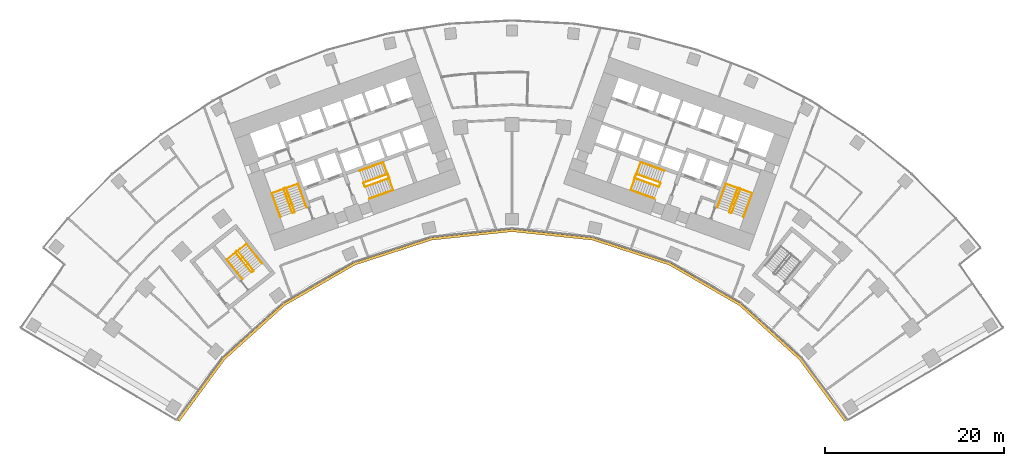
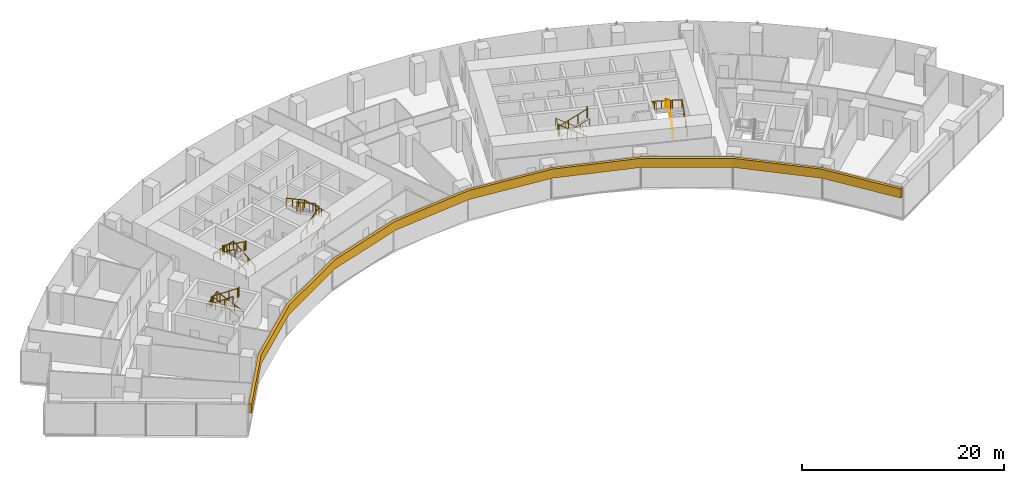
# One storey, part 20 of 21: 15 railings, 1 covering.
"""IFC4 building model written with IfcOpenShell, lengths in metres."""

import ifcopenshell
import ifcopenshell.guid

model = None  # the IFC model being written
_history = None  # IfcOwnerHistory: only IFC2X3 demands one
_inside = {}  # id of a spatial element -> (the spatial element, [elements in it])
_under = {}  # id of a project, library or spatial element -> (it, [spatial elements below it])
_declared = {}  # id of a project -> (the project, [libraries it declares])
_typed = {}  # id of a type object -> (the type object, [elements of that type])
_made_of = {}  # id of a material, layer set ... -> (it, [elements and type objects made of it])


def new_model(schema):
    """Start an empty IFC model of exactly this schema.

    Asked for "IFC4X3", IfcOpenShell would pick the latest addendum, in which some entities
    have other attributes; the version numbers below select the first issue.
    IFC2X3 requires an IfcOwnerHistory on every rooted entity: one is made here for all.
    """
    global model, _history
    if schema == "IFC4X3":
        model = ifcopenshell.file(schema_version=(4, 3, 0, 0))
    else:
        model = ifcopenshell.file(schema=schema)
    _inside.clear()
    _under.clear()
    _declared.clear()
    _typed.clear()
    _made_of.clear()
    _history = None
    if model.schema == "IFC2X3":
        org = make("IfcOrganization", Name="unknown")
        user = make(
            "IfcPersonAndOrganization",
            ThePerson=make("IfcPerson", FamilyName="unknown"),
            TheOrganization=org,
        )
        app = make(
            "IfcApplication",
            ApplicationDeveloper=org,
            Version="unknown",
            ApplicationFullName="unknown",
            ApplicationIdentifier="unknown",
        )
        _history = make(
            "IfcOwnerHistory",
            OwningUser=user,
            OwningApplication=app,
            ChangeAction="ADDED",
            CreationDate=0,
        )
    return model


def make(cls, **values):
    """One entity of the class cls with the attributes given. An attribute that is None is left unset."""
    return model.create_entity(
        cls, **{name: value for name, value in values.items() if value is not None}
    )


def rooted(cls, **values):
    """An entity with a GlobalId (a new one), such as an element, a storey or a relation."""
    return make(cls, GlobalId=ifcopenshell.guid.new(), OwnerHistory=_history, **values)


def si_unit(unit_type, name, prefix=None):
    """IfcSIUnit, for example si_unit("LENGTHUNIT", "METRE", prefix="MILLI")."""
    return make("IfcSIUnit", UnitType=unit_type, Prefix=prefix, Name=name)


def assignment(units):
    """IfcUnitAssignment: the units of a project."""
    return None if units is None else make("IfcUnitAssignment", Units=units)


def point(xyz):
    """IfcCartesianPoint."""
    return None if xyz is None else make("IfcCartesianPoint", Coordinates=xyz)


def direction(xyz):
    """IfcDirection."""
    return None if xyz is None else make("IfcDirection", DirectionRatios=xyz)


def frame(location, z_axis=None, x_axis=None):
    """IfcAxis2Placement3D, a coordinate frame: its origin and axes. An axis left out is left unset."""
    return make(
        "IfcAxis2Placement3D",
        Location=point(location),
        Axis=direction(z_axis),
        RefDirection=direction(x_axis),
    )


def frame_2d(location, x_axis=None):
    """IfcAxis2Placement2D, a coordinate frame in the plane: its origin and x axis."""
    return make(
        "IfcAxis2Placement2D", Location=point(location), RefDirection=direction(x_axis)
    )


def origin():
    """The frame at (0, 0, 0) with its axes left unset."""
    return frame((0.0, 0.0, 0.0))


def origin_2d():
    """The frame at (0, 0) in the plane with its x axis left unset."""
    return frame_2d((0.0, 0.0))


def place(relative_to, where):
    """IfcLocalPlacement: puts the frame where relative to a parent placement (None: the world)."""
    return make(
        "IfcLocalPlacement", PlacementRelTo=relative_to, RelativePlacement=where
    )


def context(
    kind, dimensions, precision=None, world=None, true_north=None, identifier=None
):
    """IfcGeometricRepresentationContext, for example the 3D "Model" context."""
    return make(
        "IfcGeometricRepresentationContext",
        ContextIdentifier=identifier,
        ContextType=kind,
        CoordinateSpaceDimension=dimensions,
        Precision=precision,
        WorldCoordinateSystem=world,
        TrueNorth=true_north,
    )


def subcontext(parent, identifier, kind, view, scale=None):
    """IfcGeometricRepresentationSubContext, for example "Body" below "Model"."""
    return make(
        "IfcGeometricRepresentationSubContext",
        ContextIdentifier=identifier,
        ContextType=kind,
        ParentContext=parent,
        TargetScale=scale,
        TargetView=view,
    )


def project(units=None, contexts=None):
    """IfcProject with its units and contexts."""
    return rooted(
        "IfcProject",
        Name="project",
        RepresentationContexts=contexts,
        UnitsInContext=assignment(units),
    )


def spatial(cls, under=None, at=None, **own):
    """A site, building, storey or space (cls), placed at a placement, below another one or the project."""
    s = rooted(cls, ObjectPlacement=at, **own)
    if under is not None:
        _under.setdefault(under.id(), (under, []))[1].append(s)
    return s


def polyline(points):
    """IfcPolyline through the points."""
    return make("IfcPolyline", Points=[point(p) for p in points])


def profile(cls, at=None, kind="AREA", **sizes):
    """A parametric profile (cls). Its sizes go by their IFC names, for example OverallWidth=200.0."""
    return make(cls, ProfileType=kind, Position=at, **sizes)


def circle(**sizes):
    """IfcCircleProfileDef."""
    return profile("IfcCircleProfileDef", **sizes)


def outline(outer, holes=None, kind="AREA"):
    """IfcArbitraryClosedProfileDef: a profile drawn as a closed curve; with holes, ...WithVoids."""
    if holes is None:
        return make("IfcArbitraryClosedProfileDef", ProfileType=kind, OuterCurve=outer)
    return make(
        "IfcArbitraryProfileDefWithVoids",
        ProfileType=kind,
        OuterCurve=outer,
        InnerCurves=holes,
    )


def extrude(swept, where, along, depth):
    """IfcExtrudedAreaSolid: the profile swept, set in the frame where, extruded along a direction by depth."""
    return make(
        "IfcExtrudedAreaSolid",
        SweptArea=swept,
        Position=where,
        ExtrudedDirection=direction(along),
        Depth=depth,
    )


def shape(context_of_items, identifier, shape_type, items):
    """IfcShapeRepresentation: the items that make up one representation, for example the "Body"."""
    return make(
        "IfcShapeRepresentation",
        ContextOfItems=context_of_items,
        RepresentationIdentifier=identifier,
        RepresentationType=shape_type,
        Items=items,
    )


def material(Name=None, Category=None):
    """IfcMaterial."""
    return make("IfcMaterial", Name=Name, Category=Category)


def layer(
    of_material, thickness, ventilated=None, Name=None, Category=None, Priority=None
):
    """IfcMaterialLayer: one layer of a wall or slab, of a material (None: an air gap)."""
    return make(
        "IfcMaterialLayer",
        Material=of_material,
        LayerThickness=thickness,
        IsVentilated=ventilated,
        Name=Name,
        Category=Category,
        Priority=Priority,
    )


def layer_set(layers, Name=None):
    """IfcMaterialLayerSet."""
    return make("IfcMaterialLayerSet", MaterialLayers=layers, LayerSetName=Name)


def made_of(thing, what):
    """Note that an element or type object is made of a material, layer set ...; save() writes the relation."""
    if what is not None:
        _made_of.setdefault(what.id(), (what, []))[1].append(thing)
    return thing


def type_object(cls, material=None, **own):
    """A type object (cls), such as IfcWallType, which elements share."""
    return made_of(rooted(cls, **own), material)


def element(
    cls,
    number,
    at=None,
    inside=None,
    cuts=None,
    type_object=None,
    material=None,
    context=None,
    identifier="Body",
    shape_type=None,
    held_by="IfcProductDefinitionShape",
    body=None,
    shapes=None,
    **own,
):
    """One element of the class cls, such as IfcWall. Its Tag is "e" and its number.

    at: its placement. inside: the storey or other place that contains it. cuts: it is an
    opening in that element (IfcRelVoidsElement). A single representation is given by context,
    identifier, shape_type and body (its items); several are given by shapes. held_by: the class
    of the entity that holds the representations. save() writes the other relations.
    """
    e = rooted(cls, Tag="e%d" % number, ObjectPlacement=at, **own)
    if body is not None:
        shapes = [shape(context, identifier, shape_type, body)]
    if shapes is not None:
        e.Representation = make(held_by, Representations=shapes)
    if inside is not None:
        _inside.setdefault(inside.id(), (inside, []))[1].append(e)
    if cuts is not None:
        rooted(
            "IfcRelVoidsElement", RelatingBuildingElement=cuts, RelatedOpeningElement=e
        )
    if type_object is not None:
        _typed.setdefault(type_object.id(), (type_object, []))[1].append(e)
    return made_of(e, material)


def aggregate(whole, parts):
    """IfcRelAggregates: a whole, such as a stair, and the parts it consists of."""
    return rooted("IfcRelAggregates", RelatingObject=whole, RelatedObjects=parts)


def save(model, path):
    """Write the relations noted so far, then the file.

    IfcRelAggregates (storeys below a building ...), IfcRelContainedInSpatialStructure (elements
    in a storey), IfcRelDefinesByType, IfcRelAssociatesMaterial and IfcRelDeclares: one each for
    every whole, place, type object, material and project.
    """
    for whole, parts in _under.values():
        aggregate(whole, parts)
    for where, things in _inside.values():
        rooted(
            "IfcRelContainedInSpatialStructure",
            RelatedElements=things,
            RelatingStructure=where,
        )
    for kind, things in _typed.values():
        rooted("IfcRelDefinesByType", RelatedObjects=things, RelatingType=kind)
    for what, things in _made_of.values():
        rooted("IfcRelAssociatesMaterial", RelatedObjects=things, RelatingMaterial=what)
    for by, libraries in _declared.values():
        rooted("IfcRelDeclares", RelatingContext=by, RelatedDefinitions=libraries)
    model.write(path)


model = new_model("IFC4")

# Units and contexts
model_context = context("Model", 3, precision=1e-05, world=origin(), true_north=direction((0.0, 1.0)))
body_context = subcontext(model_context, "Body", "Model", "MODEL_VIEW")
ifc_project = project(units=[si_unit("LENGTHUNIT", "METRE"), si_unit("AREAUNIT", "SQUARE_METRE"), si_unit("VOLUMEUNIT", "CUBIC_METRE"), si_unit("PLANEANGLEUNIT", "RADIAN"), si_unit("MASSUNIT", "GRAM", prefix="KILO")], contexts=[model_context])

# Site, building, storey
site_placement = place(None, origin())
site = spatial("IfcSite", under=ifc_project, at=site_placement, CompositionType="ELEMENT")
building_placement = place(site_placement, origin())
building = spatial("IfcBuilding", under=site, at=building_placement, Name="Stone Belt Terrace Tower", CompositionType="ELEMENT")
storey_placement = place(building_placement, frame((0.0, 0.0, 37.60009765625)))
storey = spatial("IfcBuildingStorey", under=building, at=storey_placement, Name="L08", CompositionType="ELEMENT", Elevation=37.60009765625)

# Railings
ifc_material_1 = material(Name="Structural steel C345", Category="steel")
railing_type_1 = type_object("IfcRailingType", Name="Stair guard 1100", PredefinedType="GUARDRAIL", material=ifc_material_1)
railing_1_placement = place(storey_placement, frame((-24.2119140625, 45.276123046875, 0.172607421875)))
element("IfcRailing", 1, at=railing_1_placement, inside=storey, type_object=railing_type_1, Name="L08 ST1A stair guard 1", PredefinedType="GUARDRAIL", context=body_context, shape_type="SweptSolid", body=[
    extrude(circle(Radius=0.02392578125, at=origin_2d()), frame((0.0, 0.0, 1.076171875), z_axis=(-0.288228637646, 0.800791768495, 0.525030280985), x_axis=(-0.940908529223, -0.338660803216, 0.0)), (0.0, 0.0, 1.0), 3.289794921875),
    extrude(circle(Radius=0.02392578125, at=origin_2d()), frame((-0.9482421875, 2.634521484375, 2.80322265625), z_axis=(-0.905209821074, 0.424964916, 0.0), x_axis=(-0.424964916, -0.905209821074, 0.0)), (0.0, 0.0, 1.0), 0.070556640625),
    extrude(circle(Radius=0.02392578125, at=origin_2d()), frame((-1.01220703125, 2.66455078125, 2.80322265625), z_axis=(-0.941105063269, -0.338114270461, 0.0), x_axis=(0.338114270461, -0.941105063269, 0.0)), (0.0, 0.0, 1.0), 0.199951171875),
    extrude(circle(Radius=0.02099609375, at=origin_2d()), origin(), (0.0, 0.0, 1.0), 1.052001953125),
    extrude(circle(Radius=0.02099609375, at=origin_2d()), frame((-0.316162109375, 0.878173828125, 0.57568359375)), (0.0, 0.0, 1.0), 1.052001953125),
    extrude(circle(Radius=0.02099609375, at=origin_2d()), frame((-0.632080078125, 1.75634765625, 1.151611328125)), (0.0, 0.0, 1.0), 1.052001953125),
    extrude(circle(Radius=0.02099609375, at=origin_2d()), frame((-0.9482421875, 2.634521484375, 1.727294921875)), (0.0, 0.0, 1.0), 1.052001953125),
    extrude(circle(Radius=0.02099609375, at=origin_2d()), frame((-1.01220703125, 2.66455078125, 1.727294921875)), (0.0, 0.0, 1.0), 1.052001953125),
    extrude(circle(Radius=0.02099609375, at=origin_2d()), frame((-1.200439453125, 2.596923828125, 1.727294921875)), (0.0, 0.0, 1.0), 1.052001953125),
])
railing_2_placement = place(storey_placement, frame((-25.4423828125, 47.80908203125, 2.072509765625)))
element("IfcRailing", 2, at=railing_2_placement, inside=storey, type_object=railing_type_1, Name="L08 ST1A stair guard 2", PredefinedType="GUARDRAIL", context=body_context, shape_type="SweptSolid", body=[
    extrude(circle(Radius=0.02392578125, at=origin_2d()), frame((0.0, 0.0, 1.076171875), z_axis=(0.288228637646, -0.800791768495, 0.525030280985), x_axis=(0.940908529223, 0.338660803216, 0.0)), (0.0, 0.0, 1.0), 3.289794921875),
    extrude(circle(Radius=0.02392578125, at=origin_2d()), frame((0.9482421875, -2.634521484375, 2.80322265625), z_axis=(0.903878284585, -0.427789722475, 0.0), x_axis=(0.427789722475, 0.903878284585, 0.0)), (0.0, 0.0, 1.0), 0.07080078125),
    extrude(circle(Radius=0.02392578125, at=origin_2d()), frame((1.01220703125, -2.664794921875, 2.80322265625), z_axis=(0.940575576748, 0.339584429008, 0.0), x_axis=(-0.339584429008, 0.940575576748, 0.0)), (0.0, 0.0, 1.0), 0.199951171875),
    extrude(circle(Radius=0.02099609375, at=origin_2d()), origin(), (0.0, 0.0, 1.0), 1.052001953125),
    extrude(circle(Radius=0.02099609375, at=origin_2d()), frame((0.316162109375, -0.878173828125, 0.57568359375)), (0.0, 0.0, 1.0), 1.052001953125),
    extrude(circle(Radius=0.02099609375, at=origin_2d()), frame((0.632080078125, -1.75634765625, 1.151611328125)), (0.0, 0.0, 1.0), 1.052001953125),
    extrude(circle(Radius=0.02099609375, at=origin_2d()), frame((0.9482421875, -2.634521484375, 1.727294921875)), (0.0, 0.0, 1.0), 1.052001953125),
    extrude(circle(Radius=0.02099609375, at=origin_2d()), frame((1.01220703125, -2.664794921875, 1.727294921875)), (0.0, 0.0, 1.0), 1.052001953125),
    extrude(circle(Radius=0.02099609375, at=origin_2d()), frame((1.2001953125, -2.596923828125, 1.727294921875)), (0.0, 0.0, 1.0), 1.052001953125),
])
railing_3_placement = place(storey_placement, frame((-16.33837890625, 48.056640625, 0.172607421875)))
element("IfcRailing", 3, at=railing_3_placement, inside=storey, type_object=railing_type_1, Name="L08 ST2A stair guard 1", PredefinedType="GUARDRAIL", context=body_context, shape_type="SweptSolid", body=[
    extrude(circle(Radius=0.02392578125, at=origin_2d()), frame((0.0, 0.0, 1.076171875), z_axis=(0.800808895155, 0.288160591223, 0.52504150989), x_axis=(-0.338583606334, 0.940936311087, 0.0)), (0.0, 0.0, 1.0), 3.289794921875),
    extrude(circle(Radius=0.02392578125, at=origin_2d()), frame((2.634521484375, 0.947998046875, 2.80322265625), z_axis=(0.427789722475, 0.903878284585, 0.0), x_axis=(-0.903878284585, 0.427789722475, 0.0)), (0.0, 0.0, 1.0), 0.07080078125),
    extrude(circle(Radius=0.02392578125, at=origin_2d()), frame((2.664794921875, 1.011962890625, 2.80322265625), z_axis=(-0.338654645739, 0.940910745459, 0.0), x_axis=(-0.940910745459, -0.338654645739, 0.0)), (0.0, 0.0, 1.0), 0.400146484375),
    extrude(circle(Radius=0.02099609375, at=origin_2d()), origin(), (0.0, 0.0, 1.0), 1.052001953125),
    extrude(circle(Radius=0.02099609375, at=origin_2d()), frame((0.878173828125, 0.31591796875, 0.57568359375)), (0.0, 0.0, 1.0), 1.052001953125),
    extrude(circle(Radius=0.02099609375, at=origin_2d()), frame((1.75634765625, 0.632080078125, 1.151611328125)), (0.0, 0.0, 1.0), 1.052001953125),
    extrude(circle(Radius=0.02099609375, at=origin_2d()), frame((2.634521484375, 0.947998046875, 1.727294921875)), (0.0, 0.0, 1.0), 1.052001953125),
    extrude(circle(Radius=0.02099609375, at=origin_2d()), frame((2.664794921875, 1.011962890625, 1.727294921875)), (0.0, 0.0, 1.0), 1.052001953125),
    extrude(circle(Radius=0.02099609375, at=origin_2d()), frame((2.529296875, 1.388427734375, 1.727294921875)), (0.0, 0.0, 1.0), 1.052001953125),
])
railing_4_placement = place(storey_placement, frame((-13.873046875, 49.47509765625, 2.072509765625)))
element("IfcRailing", 4, at=railing_4_placement, inside=storey, type_object=railing_type_1, Name="L08 ST2A stair guard 2", PredefinedType="GUARDRAIL", context=body_context, shape_type="SweptSolid", body=[
    extrude(circle(Radius=0.02392578125, at=origin_2d()), frame((0.0, 0.0, 1.076171875), z_axis=(-0.800808895155, -0.288160591223, 0.52504150989), x_axis=(0.338583606334, -0.940936311087, 0.0)), (0.0, 0.0, 1.0), 3.289794921875),
    extrude(circle(Radius=0.02392578125, at=origin_2d()), frame((-2.634521484375, -0.947998046875, 2.80322265625), z_axis=(-0.427789722475, -0.903878284585, 0.0), x_axis=(0.903878284585, -0.427789722475, 0.0)), (0.0, 0.0, 1.0), 0.07080078125),
    extrude(circle(Radius=0.02392578125, at=origin_2d()), frame((-2.664794921875, -1.011962890625, 2.80322265625), z_axis=(0.338654645739, -0.940910745459, 0.0), x_axis=(0.940910745459, 0.338654645739, 0.0)), (0.0, 0.0, 1.0), 0.400146484375),
    extrude(circle(Radius=0.02099609375, at=origin_2d()), origin(), (0.0, 0.0, 1.0), 1.052001953125),
    extrude(circle(Radius=0.02099609375, at=origin_2d()), frame((-0.878173828125, -0.31591796875, 0.57568359375)), (0.0, 0.0, 1.0), 1.052001953125),
    extrude(circle(Radius=0.02099609375, at=origin_2d()), frame((-1.75634765625, -0.632080078125, 1.151611328125)), (0.0, 0.0, 1.0), 1.052001953125),
    extrude(circle(Radius=0.02099609375, at=origin_2d()), frame((-2.634521484375, -0.947998046875, 1.727294921875)), (0.0, 0.0, 1.0), 1.052001953125),
    extrude(circle(Radius=0.02099609375, at=origin_2d()), frame((-2.664794921875, -1.011962890625, 1.727294921875)), (0.0, 0.0, 1.0), 1.052001953125),
    extrude(circle(Radius=0.02099609375, at=origin_2d()), frame((-2.529296875, -1.388427734375, 1.727294921875)), (0.0, 0.0, 1.0), 1.052001953125),
])
railing_5_placement = place(storey_placement, frame((24.494140625, 45.174560546875, 0.172607421875)))
element("IfcRailing", 5, at=railing_5_placement, inside=storey, type_object=railing_type_1, Name="L08 ST1B stair guard 1", PredefinedType="GUARDRAIL", context=body_context, shape_type="SweptSolid", body=[
    extrude(circle(Radius=0.02392578125, at=origin_2d()), frame((0.0, 0.0, 1.076171875), z_axis=(0.288228637646, 0.800791768495, 0.525030280985), x_axis=(-0.940908529223, 0.338660803216, 0.0)), (0.0, 0.0, 1.0), 3.289794921875),
    extrude(circle(Radius=0.02392578125, at=origin_2d()), frame((0.9482421875, 2.634521484375, 2.80322265625), z_axis=(-0.424964916, 0.905209821074, 0.0), x_axis=(-0.905209821074, -0.424964916, 0.0)), (0.0, 0.0, 1.0), 0.070556640625),
    extrude(circle(Radius=0.02392578125, at=origin_2d()), frame((0.918212890625, 2.698486328125, 2.80322265625), z_axis=(-0.941105063269, 0.338114270461, 0.0), x_axis=(-0.338114270461, -0.941105063269, 0.0)), (0.0, 0.0, 1.0), 0.199951171875),
    extrude(circle(Radius=0.02099609375, at=origin_2d()), origin(), (0.0, 0.0, 1.0), 1.052001953125),
    extrude(circle(Radius=0.02099609375, at=origin_2d()), frame((0.316162109375, 0.878173828125, 0.57568359375)), (0.0, 0.0, 1.0), 1.052001953125),
    extrude(circle(Radius=0.02099609375, at=origin_2d()), frame((0.632080078125, 1.75634765625, 1.151611328125)), (0.0, 0.0, 1.0), 1.052001953125),
    extrude(circle(Radius=0.02099609375, at=origin_2d()), frame((0.9482421875, 2.634521484375, 1.727294921875)), (0.0, 0.0, 1.0), 1.052001953125),
    extrude(circle(Radius=0.02099609375, at=origin_2d()), frame((0.918212890625, 2.698486328125, 1.727294921875)), (0.0, 0.0, 1.0), 1.052001953125),
    extrude(circle(Radius=0.02099609375, at=origin_2d()), frame((0.72998046875, 2.76611328125, 1.727294921875)), (0.0, 0.0, 1.0), 1.052001953125),
])
railing_6_placement = place(storey_placement, frame((25.16015625, 47.91064453125, 2.072509765625)))
element("IfcRailing", 6, at=railing_6_placement, inside=storey, type_object=railing_type_1, Name="L08 ST1B stair guard 2", PredefinedType="GUARDRAIL", context=body_context, shape_type="SweptSolid", body=[
    extrude(circle(Radius=0.02392578125, at=origin_2d()), frame((0.0, 0.0, 1.076171875), z_axis=(-0.288228637646, -0.800791768495, 0.525030280985), x_axis=(0.940908529223, -0.338660803216, 0.0)), (0.0, 0.0, 1.0), 3.289794921875),
    extrude(circle(Radius=0.02392578125, at=origin_2d()), frame((-0.9482421875, -2.634521484375, 2.80322265625), z_axis=(0.427789722475, -0.903878284585, 0.0), x_axis=(0.903878284585, 0.427789722475, 0.0)), (0.0, 0.0, 1.0), 0.07080078125),
    extrude(circle(Radius=0.02392578125, at=origin_2d()), frame((-0.91796875, -2.698486328125, 2.80322265625), z_axis=(0.940575576748, -0.339584429008, 0.0), x_axis=(0.339584429008, 0.940575576748, 0.0)), (0.0, 0.0, 1.0), 0.199951171875),
    extrude(circle(Radius=0.02099609375, at=origin_2d()), origin(), (0.0, 0.0, 1.0), 1.052001953125),
    extrude(circle(Radius=0.02099609375, at=origin_2d()), frame((-0.316162109375, -0.878173828125, 0.57568359375)), (0.0, 0.0, 1.0), 1.052001953125),
    extrude(circle(Radius=0.02099609375, at=origin_2d()), frame((-0.632080078125, -1.75634765625, 1.151611328125)), (0.0, 0.0, 1.0), 1.052001953125),
    extrude(circle(Radius=0.02099609375, at=origin_2d()), frame((-0.9482421875, -2.634521484375, 1.727294921875)), (0.0, 0.0, 1.0), 1.052001953125),
    extrude(circle(Radius=0.02099609375, at=origin_2d()), frame((-0.91796875, -2.698486328125, 1.727294921875)), (0.0, 0.0, 1.0), 1.052001953125),
    extrude(circle(Radius=0.02099609375, at=origin_2d()), frame((-0.72998046875, -2.766357421875, 1.727294921875)), (0.0, 0.0, 1.0), 1.052001953125),
])
railing_7_placement = place(storey_placement, frame((16.507568359375, 48.527099609375, 0.172607421875)))
element("IfcRailing", 7, at=railing_7_placement, inside=storey, type_object=railing_type_1, Name="L08 ST2B stair guard 1", PredefinedType="GUARDRAIL", context=body_context, shape_type="SweptSolid", body=[
    extrude(circle(Radius=0.02392578125, at=origin_2d()), frame((0.0, 0.0, 1.076171875), z_axis=(-0.800808895155, 0.288160591223, 0.52504150989), x_axis=(-0.338583606334, -0.940936311087, 0.0)), (0.0, 0.0, 1.0), 3.289794921875),
    extrude(circle(Radius=0.02392578125, at=origin_2d()), frame((-2.634521484375, 0.947998046875, 2.80322265625), z_axis=(-0.905209821074, -0.424964916, 0.0), x_axis=(0.424964916, -0.905209821074, 0.0)), (0.0, 0.0, 1.0), 0.070556640625),
    extrude(circle(Radius=0.02392578125, at=origin_2d()), frame((-2.698486328125, 0.91796875, 2.80322265625), z_axis=(-0.338654645739, -0.940910745459, 0.0), x_axis=(0.940910745459, -0.338654645739, 0.0)), (0.0, 0.0, 1.0), 0.400146484375),
    extrude(circle(Radius=0.02099609375, at=origin_2d()), origin(), (0.0, 0.0, 1.0), 1.052001953125),
    extrude(circle(Radius=0.02099609375, at=origin_2d()), frame((-0.878173828125, 0.31591796875, 0.57568359375)), (0.0, 0.0, 1.0), 1.052001953125),
    extrude(circle(Radius=0.02099609375, at=origin_2d()), frame((-1.75634765625, 0.632080078125, 1.151611328125)), (0.0, 0.0, 1.0), 1.052001953125),
    extrude(circle(Radius=0.02099609375, at=origin_2d()), frame((-2.634521484375, 0.947998046875, 1.727294921875)), (0.0, 0.0, 1.0), 1.052001953125),
    extrude(circle(Radius=0.02099609375, at=origin_2d()), frame((-2.698486328125, 0.91796875, 1.727294921875)), (0.0, 0.0, 1.0), 1.052001953125),
    extrude(circle(Radius=0.02099609375, at=origin_2d()), frame((-2.833984375, 0.54150390625, 1.727294921875)), (0.0, 0.0, 1.0), 1.052001953125),
])
railing_8_placement = place(storey_placement, frame((13.703857421875, 49.004638671875, 2.072509765625)))
element("IfcRailing", 8, at=railing_8_placement, inside=storey, type_object=railing_type_1, Name="L08 ST2B stair guard 2", PredefinedType="GUARDRAIL", context=body_context, shape_type="SweptSolid", body=[
    extrude(circle(Radius=0.02392578125, at=origin_2d()), frame((0.0, 0.0, 1.076171875), z_axis=(0.800808895155, -0.288160591223, 0.52504150989), x_axis=(0.338583606334, 0.940936311087, 0.0)), (0.0, 0.0, 1.0), 3.289794921875),
    extrude(circle(Radius=0.02392578125, at=origin_2d()), frame((2.634521484375, -0.947998046875, 2.80322265625), z_axis=(0.905209821074, 0.424964916, 0.0), x_axis=(-0.424964916, 0.905209821074, 0.0)), (0.0, 0.0, 1.0), 0.070556640625),
    extrude(circle(Radius=0.02392578125, at=origin_2d()), frame((2.698486328125, -0.91796875, 2.80322265625), z_axis=(0.338654645739, 0.940910745459, 0.0), x_axis=(-0.940910745459, 0.338654645739, 0.0)), (0.0, 0.0, 1.0), 0.400146484375),
    extrude(circle(Radius=0.02099609375, at=origin_2d()), origin(), (0.0, 0.0, 1.0), 1.052001953125),
    extrude(circle(Radius=0.02099609375, at=origin_2d()), frame((0.878173828125, -0.31591796875, 0.57568359375)), (0.0, 0.0, 1.0), 1.052001953125),
    extrude(circle(Radius=0.02099609375, at=origin_2d()), frame((1.75634765625, -0.632080078125, 1.151611328125)), (0.0, 0.0, 1.0), 1.052001953125),
    extrude(circle(Radius=0.02099609375, at=origin_2d()), frame((2.634521484375, -0.947998046875, 1.727294921875)), (0.0, 0.0, 1.0), 1.052001953125),
    extrude(circle(Radius=0.02099609375, at=origin_2d()), frame((2.698486328125, -0.91796875, 1.727294921875)), (0.0, 0.0, 1.0), 1.052001953125),
    extrude(circle(Radius=0.02099609375, at=origin_2d()), frame((2.833984375, -0.54150390625, 1.727294921875)), (0.0, 0.0, 1.0), 1.052001953125),
])
railing_9_placement = place(storey_placement, frame((-28.814208984375, 38.734619140625, 0.172607421875)))
element("IfcRailing", 9, at=railing_9_placement, inside=storey, type_object=railing_type_1, Name="L08 ST3A stair guard 1", PredefinedType="GUARDRAIL", context=body_context, shape_type="SweptSolid", body=[
    extrude(circle(Radius=0.02392578125, at=origin_2d()), frame((0.0, 0.0, 1.076171875), z_axis=(-0.530306321799, 0.665665785969, 0.525037395288), x_axis=(-0.782143211408, -0.623098705543, 0.0)), (0.0, 0.0, 1.0), 3.289794921875),
    extrude(circle(Radius=0.02392578125, at=origin_2d()), frame((-1.74462890625, 2.18994140625, 2.80322265625), z_axis=(-0.993883734674, 0.110431526075, 0.0), x_axis=(-0.110431526075, -0.993883734674, 0.0)), (0.0, 0.0, 1.0), 0.07080078125),
    extrude(circle(Radius=0.02392578125, at=origin_2d()), frame((-1.81494140625, 2.19775390625, 2.80322265625), z_axis=(-0.782533463299, -0.622608527742, 0.0), x_axis=(0.622608527742, -0.782533463299, 0.0)), (0.0, 0.0, 1.0), 0.199951171875),
    extrude(circle(Radius=0.02099609375, at=origin_2d()), origin(), (0.0, 0.0, 1.0), 1.052001953125),
    extrude(circle(Radius=0.02099609375, at=origin_2d()), frame((-0.58154296875, 0.72998046875, 0.57568359375)), (0.0, 0.0, 1.0), 1.052001953125),
    extrude(circle(Radius=0.02099609375, at=origin_2d()), frame((-1.1630859375, 1.4599609375, 1.151611328125)), (0.0, 0.0, 1.0), 1.052001953125),
    extrude(circle(Radius=0.02099609375, at=origin_2d()), frame((-1.74462890625, 2.18994140625, 1.727294921875)), (0.0, 0.0, 1.0), 1.052001953125),
    extrude(circle(Radius=0.02099609375, at=origin_2d()), frame((-1.81494140625, 2.19775390625, 1.727294921875)), (0.0, 0.0, 1.0), 1.052001953125),
    extrude(circle(Radius=0.02099609375, at=origin_2d()), frame((-1.971435546875, 2.0732421875, 1.727294921875)), (0.0, 0.0, 1.0), 1.052001953125),
])
railing_10_placement = place(storey_placement, frame((-30.793701171875, 40.737548828125, 2.072509765625)))
element("IfcRailing", 10, at=railing_10_placement, inside=storey, type_object=railing_type_1, Name="L08 ST3A stair guard 2", PredefinedType="GUARDRAIL", context=body_context, shape_type="SweptSolid", body=[
    extrude(circle(Radius=0.02392578125, at=origin_2d()), frame((0.0, 0.0, 1.076171875), z_axis=(0.530359659125, -0.665639588968, 0.525016732659), x_axis=(0.782100716982, 0.62315204284, 0.0)), (0.0, 0.0, 1.0), 3.2900390625),
    extrude(circle(Radius=0.02392578125, at=origin_2d()), frame((1.744873046875, -2.18994140625, 2.80322265625), z_axis=(0.993499272973, -0.113838458361, 0.0), x_axis=(0.113838458361, 0.993499272973, 0.0)), (0.0, 0.0, 1.0), 0.07080078125),
    extrude(circle(Radius=0.02392578125, at=origin_2d()), frame((1.815185546875, -2.197998046875, 2.80322265625), z_axis=(0.781464082609, 0.623950228458, 0.0), x_axis=(-0.623950228458, 0.781464082609, 0.0)), (0.0, 0.0, 1.0), 0.199951171875),
    extrude(circle(Radius=0.02099609375, at=origin_2d()), origin(), (0.0, 0.0, 1.0), 1.052001953125),
    extrude(circle(Radius=0.02099609375, at=origin_2d()), frame((0.58154296875, -0.72998046875, 0.57568359375)), (0.0, 0.0, 1.0), 1.052001953125),
    extrude(circle(Radius=0.02099609375, at=origin_2d()), frame((1.163330078125, -1.4599609375, 1.151611328125)), (0.0, 0.0, 1.0), 1.052001953125),
    extrude(circle(Radius=0.02099609375, at=origin_2d()), frame((1.744873046875, -2.18994140625, 1.727294921875)), (0.0, 0.0, 1.0), 1.052001953125),
    extrude(circle(Radius=0.02099609375, at=origin_2d()), frame((1.815185546875, -2.197998046875, 1.727294921875)), (0.0, 0.0, 1.0), 1.052001953125),
    extrude(circle(Radius=0.02099609375, at=origin_2d()), frame((1.971435546875, -2.0732421875, 1.727294921875)), (0.0, 0.0, 1.0), 1.052001953125),
])
railing_type_2 = type_object("IfcRailingType", Name="Stair handrail 900", PredefinedType="HANDRAIL", material=ifc_material_1)
railing_11_placement = place(storey_placement, frame((-22.894775390625, 45.750244140625, 0.172607421875)))
element("IfcRailing", 11, at=railing_11_placement, inside=storey, type_object=railing_type_2, Name="L08 ST1A stair handrail 1", PredefinedType="HANDRAIL", context=body_context, shape_type="SweptSolid", body=[
    extrude(circle(Radius=0.02392578125, at=origin_2d()), frame((0.0, 0.0, 0.8759765625), z_axis=(-0.288160591223, 0.800808895155, 0.52504150989), x_axis=(-0.940936311087, -0.338583606334, 0.0)), (0.0, 0.0, 1.0), 3.289794921875),
    extrude(circle(Radius=0.02392578125, at=origin_2d()), frame((-0.947998046875, 2.634521484375, 2.60302734375), z_axis=(-0.939464517435, -0.338106580597, 0.055591012205), x_axis=(0.338630230244, -0.940919532779, 0.0)), (0.0, 0.0, 1.0), 3.10498046875),
    extrude(circle(Radius=0.02392578125, at=origin_2d()), frame((-3.864990234375, 1.584716796875, 2.77587890625), z_axis=(0.288228637646, -0.800791768495, 0.525030280985), x_axis=(0.940908529223, 0.338660803216, 0.0)), (0.0, 0.0, 1.0), 3.289794921875),
    extrude(circle(Radius=0.02099609375, at=origin_2d()), origin(), (0.0, 0.0, 1.0), 0.851806640625),
    extrude(circle(Radius=0.02099609375, at=origin_2d()), frame((-0.31591796875, 0.878173828125, 0.57568359375)), (0.0, 0.0, 1.0), 0.851806640625),
    extrude(circle(Radius=0.02099609375, at=origin_2d()), frame((-0.632080078125, 1.75634765625, 1.151611328125)), (0.0, 0.0, 1.0), 0.851806640625),
    extrude(circle(Radius=0.02099609375, at=origin_2d()), frame((-0.947998046875, 2.634521484375, 1.727294921875)), (0.0, 0.0, 1.0), 0.851806640625),
    extrude(circle(Radius=0.02099609375, at=origin_2d()), frame((-1.92041015625, 2.28466796875, 1.784912109375)), (0.0, 0.0, 1.0), 0.851806640625),
    extrude(circle(Radius=0.02099609375, at=origin_2d()), frame((-2.892578125, 1.9345703125, 1.84228515625)), (0.0, 0.0, 1.0), 0.851806640625),
    extrude(circle(Radius=0.02099609375, at=origin_2d()), frame((-3.864990234375, 1.584716796875, 1.89990234375)), (0.0, 0.0, 1.0), 0.851806640625),
    extrude(circle(Radius=0.02099609375, at=origin_2d()), frame((-3.548828125, 0.70654296875, 2.4755859375)), (0.0, 0.0, 1.0), 0.851806640625),
    extrude(circle(Radius=0.02099609375, at=origin_2d()), frame((-3.23291015625, -0.171630859375, 3.051513671875)), (0.0, 0.0, 1.0), 0.851806640625),
    extrude(circle(Radius=0.02099609375, at=origin_2d()), frame((-2.916748046875, -1.0498046875, 3.627197265625)), (0.0, 0.0, 1.0), 0.851806640625),
])
railing_12_placement = place(storey_placement, frame((-15.8642578125, 46.7392578125, 0.172607421875)))
element("IfcRailing", 12, at=railing_12_placement, inside=storey, type_object=railing_type_2, Name="L08 ST2A stair handrail 1", PredefinedType="HANDRAIL", context=body_context, shape_type="SweptSolid", body=[
    extrude(circle(Radius=0.02392578125, at=origin_2d()), frame((0.0, 0.0, 0.8759765625), z_axis=(0.800791768495, 0.288228637646, 0.525030280985), x_axis=(-0.338660803216, 0.940908529223, 0.0)), (0.0, 0.0, 1.0), 3.289794921875),
    extrude(circle(Radius=0.02392578125, at=origin_2d()), frame((2.634521484375, 0.9482421875, 2.60302734375), z_axis=(-0.338160254016, 0.939637778147, 0.052234935458), x_axis=(-0.940922302781, -0.338622533404, 0.0)), (0.0, 0.0, 1.0), 3.304443359375),
    extrude(circle(Radius=0.02392578125, at=origin_2d()), frame((1.51708984375, 4.05322265625, 2.77587890625), z_axis=(-0.800791768495, -0.288228637646, 0.525030280985), x_axis=(0.338660803216, -0.940908529223, 0.0)), (0.0, 0.0, 1.0), 3.289794921875),
    extrude(circle(Radius=0.02099609375, at=origin_2d()), origin(), (0.0, 0.0, 1.0), 0.851806640625),
    extrude(circle(Radius=0.02099609375, at=origin_2d()), frame((0.878173828125, 0.316162109375, 0.57568359375)), (0.0, 0.0, 1.0), 0.851806640625),
    extrude(circle(Radius=0.02099609375, at=origin_2d()), frame((1.75634765625, 0.632080078125, 1.151611328125)), (0.0, 0.0, 1.0), 0.851806640625),
    extrude(circle(Radius=0.02099609375, at=origin_2d()), frame((2.634521484375, 0.9482421875, 1.727294921875)), (0.0, 0.0, 1.0), 0.851806640625),
    extrude(circle(Radius=0.02099609375, at=origin_2d()), frame((2.261962890625, 1.983154296875, 1.784912109375)), (0.0, 0.0, 1.0), 0.851806640625),
    extrude(circle(Radius=0.02099609375, at=origin_2d()), frame((1.8896484375, 3.018310546875, 1.84228515625)), (0.0, 0.0, 1.0), 0.851806640625),
    extrude(circle(Radius=0.02099609375, at=origin_2d()), frame((1.51708984375, 4.05322265625, 1.89990234375)), (0.0, 0.0, 1.0), 0.851806640625),
    extrude(circle(Radius=0.02099609375, at=origin_2d()), frame((0.638916015625, 3.737060546875, 2.4755859375)), (0.0, 0.0, 1.0), 0.851806640625),
    extrude(circle(Radius=0.02099609375, at=origin_2d()), frame((-0.2392578125, 3.421142578125, 3.051513671875)), (0.0, 0.0, 1.0), 0.851806640625),
    extrude(circle(Radius=0.02099609375, at=origin_2d()), frame((-1.117431640625, 3.10498046875, 3.627197265625)), (0.0, 0.0, 1.0), 0.851806640625),
])
railing_13_placement = place(storey_placement, frame((25.8115234375, 44.700439453125, 0.172607421875)))
element("IfcRailing", 13, at=railing_13_placement, inside=storey, type_object=railing_type_2, Name="L08 ST1B stair handrail 1", PredefinedType="HANDRAIL", context=body_context, shape_type="SweptSolid", body=[
    extrude(circle(Radius=0.02392578125, at=origin_2d()), frame((0.0, 0.0, 0.8759765625), z_axis=(0.288228637646, 0.800791768495, 0.525030280985), x_axis=(-0.940908529223, 0.338660803216, 0.0)), (0.0, 0.0, 1.0), 3.289794921875),
    extrude(circle(Radius=0.02392578125, at=origin_2d()), frame((0.9482421875, 2.634521484375, 2.60302734375), z_axis=(-0.939464517435, 0.338106580597, 0.055591012205), x_axis=(-0.338630230244, -0.940919532779, 0.0)), (0.0, 0.0, 1.0), 3.10498046875),
    extrude(circle(Radius=0.02392578125, at=origin_2d()), frame((-1.96875, 3.684326171875, 2.77587890625), z_axis=(-0.288160591223, -0.800808895155, 0.52504150989), x_axis=(0.940936311087, -0.338583606334, 0.0)), (0.0, 0.0, 1.0), 3.289794921875),
    extrude(circle(Radius=0.02099609375, at=origin_2d()), origin(), (0.0, 0.0, 1.0), 0.851806640625),
    extrude(circle(Radius=0.02099609375, at=origin_2d()), frame((0.316162109375, 0.878173828125, 0.57568359375)), (0.0, 0.0, 1.0), 0.851806640625),
    extrude(circle(Radius=0.02099609375, at=origin_2d()), frame((0.632080078125, 1.75634765625, 1.151611328125)), (0.0, 0.0, 1.0), 0.851806640625),
    extrude(circle(Radius=0.02099609375, at=origin_2d()), frame((0.9482421875, 2.634521484375, 1.727294921875)), (0.0, 0.0, 1.0), 0.851806640625),
    extrude(circle(Radius=0.02099609375, at=origin_2d()), frame((-0.024169921875, 2.984375, 1.784912109375)), (0.0, 0.0, 1.0), 0.851806640625),
    extrude(circle(Radius=0.02099609375, at=origin_2d()), frame((-0.996337890625, 3.33447265625, 1.84228515625)), (0.0, 0.0, 1.0), 0.851806640625),
    extrude(circle(Radius=0.02099609375, at=origin_2d()), frame((-1.96875, 3.684326171875, 1.89990234375)), (0.0, 0.0, 1.0), 0.851806640625),
    extrude(circle(Radius=0.02099609375, at=origin_2d()), frame((-2.28466796875, 2.80615234375, 2.4755859375)), (0.0, 0.0, 1.0), 0.851806640625),
    extrude(circle(Radius=0.02099609375, at=origin_2d()), frame((-2.600830078125, 1.927978515625, 3.051513671875)), (0.0, 0.0, 1.0), 0.851806640625),
    extrude(circle(Radius=0.02099609375, at=origin_2d()), frame((-2.916748046875, 1.0498046875, 3.627197265625)), (0.0, 0.0, 1.0), 0.851806640625),
])
railing_14_placement = place(storey_placement, frame((16.981689453125, 49.84423828125, 0.172607421875)))
element("IfcRailing", 14, at=railing_14_placement, inside=storey, type_object=railing_type_2, Name="L08 ST2B stair handrail 1", PredefinedType="HANDRAIL", context=body_context, shape_type="SweptSolid", body=[
    extrude(circle(Radius=0.02392578125, at=origin_2d()), frame((0.0, 0.0, 0.8759765625), z_axis=(-0.800791768495, 0.288228637646, 0.525030280985), x_axis=(-0.338660803216, -0.940908529223, 0.0)), (0.0, 0.0, 1.0), 3.289794921875),
    extrude(circle(Radius=0.02392578125, at=origin_2d()), frame((-2.634521484375, 0.9482421875, 2.60302734375), z_axis=(-0.338160254016, -0.939637778147, 0.052234935458), x_axis=(0.940922302781, -0.338622533404, 0.0)), (0.0, 0.0, 1.0), 3.304443359375),
    extrude(circle(Radius=0.02392578125, at=origin_2d()), frame((-3.751953125, -2.15673828125, 2.77587890625), z_axis=(0.800791768495, -0.288228637646, 0.525030280985), x_axis=(0.338660803216, 0.940908529223, 0.0)), (0.0, 0.0, 1.0), 3.289794921875),
    extrude(circle(Radius=0.02099609375, at=origin_2d()), origin(), (0.0, 0.0, 1.0), 0.851806640625),
    extrude(circle(Radius=0.02099609375, at=origin_2d()), frame((-0.878173828125, 0.316162109375, 0.57568359375)), (0.0, 0.0, 1.0), 0.851806640625),
    extrude(circle(Radius=0.02099609375, at=origin_2d()), frame((-1.75634765625, 0.632080078125, 1.151611328125)), (0.0, 0.0, 1.0), 0.851806640625),
    extrude(circle(Radius=0.02099609375, at=origin_2d()), frame((-2.634521484375, 0.9482421875, 1.727294921875)), (0.0, 0.0, 1.0), 0.851806640625),
    extrude(circle(Radius=0.02099609375, at=origin_2d()), frame((-3.007080078125, -0.086669921875, 1.784912109375)), (0.0, 0.0, 1.0), 0.851806640625),
    extrude(circle(Radius=0.02099609375, at=origin_2d()), frame((-3.37939453125, -1.121826171875, 1.84228515625)), (0.0, 0.0, 1.0), 0.851806640625),
    extrude(circle(Radius=0.02099609375, at=origin_2d()), frame((-3.751953125, -2.15673828125, 1.89990234375)), (0.0, 0.0, 1.0), 0.851806640625),
    extrude(circle(Radius=0.02099609375, at=origin_2d()), frame((-2.873779296875, -2.472900390625, 2.4755859375)), (0.0, 0.0, 1.0), 0.851806640625),
    extrude(circle(Radius=0.02099609375, at=origin_2d()), frame((-1.99560546875, -2.788818359375, 3.051513671875)), (0.0, 0.0, 1.0), 0.851806640625),
    extrude(circle(Radius=0.02099609375, at=origin_2d()), frame((-1.117431640625, -3.10498046875, 3.627197265625)), (0.0, 0.0, 1.0), 0.851806640625),
])
railing_15_placement = place(storey_placement, frame((-27.836669921875, 39.513427734375, 0.172607421875)))
element("IfcRailing", 15, at=railing_15_placement, inside=storey, type_object=railing_type_2, Name="L08 ST3A stair handrail 1", PredefinedType="HANDRAIL", context=body_context, shape_type="SweptSolid", body=[
    extrude(circle(Radius=0.02392578125, at=origin_2d()), frame((0.0, 0.0, 0.8759765625), z_axis=(-0.530306321799, 0.665665785969, 0.525037395288), x_axis=(-0.782143211408, -0.623098705543, 0.0)), (0.0, 0.0, 1.0), 3.289794921875),
    extrude(circle(Radius=0.02392578125, at=origin_2d()), frame((-1.74462890625, 2.18994140625, 2.60302734375), z_axis=(-0.780661215256, -0.62191806513, 0.061530376721), x_axis=(0.623098705543, -0.782143211408, 0.0)), (0.0, 0.0, 1.0), 2.80517578125),
    extrude(circle(Radius=0.02392578125, at=origin_2d()), frame((-3.9345703125, 0.4453125, 2.77587890625), z_axis=(0.530306321799, -0.665665785969, 0.525037395288), x_axis=(0.782143211408, 0.623098705543, 0.0)), (0.0, 0.0, 1.0), 3.289794921875),
    extrude(circle(Radius=0.02099609375, at=origin_2d()), origin(), (0.0, 0.0, 1.0), 0.851806640625),
    extrude(circle(Radius=0.02099609375, at=origin_2d()), frame((-0.58154296875, 0.72998046875, 0.57568359375)), (0.0, 0.0, 1.0), 0.851806640625),
    extrude(circle(Radius=0.02099609375, at=origin_2d()), frame((-1.1630859375, 1.4599609375, 1.151611328125)), (0.0, 0.0, 1.0), 0.851806640625),
    extrude(circle(Radius=0.02099609375, at=origin_2d()), frame((-1.74462890625, 2.18994140625, 1.727294921875)), (0.0, 0.0, 1.0), 0.851806640625),
    extrude(circle(Radius=0.02099609375, at=origin_2d()), frame((-2.474609375, 1.6083984375, 1.784912109375)), (0.0, 0.0, 1.0), 0.851806640625),
    extrude(circle(Radius=0.02099609375, at=origin_2d()), frame((-3.20458984375, 1.02685546875, 1.84228515625)), (0.0, 0.0, 1.0), 0.851806640625),
    extrude(circle(Radius=0.02099609375, at=origin_2d()), frame((-3.9345703125, 0.4453125, 1.89990234375)), (0.0, 0.0, 1.0), 0.851806640625),
    extrude(circle(Radius=0.02099609375, at=origin_2d()), frame((-3.35302734375, -0.28466796875, 2.4755859375)), (0.0, 0.0, 1.0), 0.851806640625),
    extrude(circle(Radius=0.02099609375, at=origin_2d()), frame((-2.771484375, -1.0146484375, 3.051513671875)), (0.0, 0.0, 1.0), 0.851806640625),
    extrude(circle(Radius=0.02099609375, at=origin_2d()), frame((-2.18994140625, -1.74462890625, 3.627197265625)), (0.0, 0.0, 1.0), 0.851806640625),
])

# Covering
ifc_material_2 = material(Name="Terracotta coloured glazed ceramic", Category="masonry")
ifc_layer = layer(ifc_material_2, 0.300048828125)
ifc_layer_set = layer_set([ifc_layer], Name="Terracotta spandrel band 300 x 1100")
covering_type = type_object("IfcCoveringType", Name="Terracotta spandrel band 300 x 1100", PredefinedType="CLADDING", material=ifc_layer_set)
covering_placement = place(storey_placement, frame((0.0, 0.0, 2.699951171875)))
element("IfcCovering", 16, at=covering_placement, inside=storey, type_object=covering_type, Name="BAND L08", PredefinedType="CLADDING", context=body_context, shape_type="SweptSolid", body=[
    extrude(outline(polyline([(-37.3134765625, 22.068115234375), (-32.215087890625, 29.006103515625), (-25.47998046875, 35.0703125), (-17.631591796875, 39.6015625), (-9.0126953125, 42.40185546875), (0.0, 43.34912109375), (9.0126953125, 42.40185546875), (17.631591796875, 39.6015625), (25.47998046875, 35.0703125), (32.215087890625, 29.006103515625), (37.3134765625, 22.068115234375), (37.071533203125, 21.890380859375), (31.991455078125, 28.8037109375), (25.302734375, 34.826171875), (17.509033203125, 39.325927734375), (8.9501953125, 42.10693359375), (0.0, 43.047607421875), (-8.9501953125, 42.10693359375), (-17.509033203125, 39.325927734375), (-25.302734375, 34.826171875), (-31.991455078125, 28.8037109375), (-37.071533203125, 21.890380859375), (-37.3134765625, 22.068115234375)])), origin(), (0.0, 0.0, 1.0), 1.099853515625),
])

save(model, "model.ifc")
